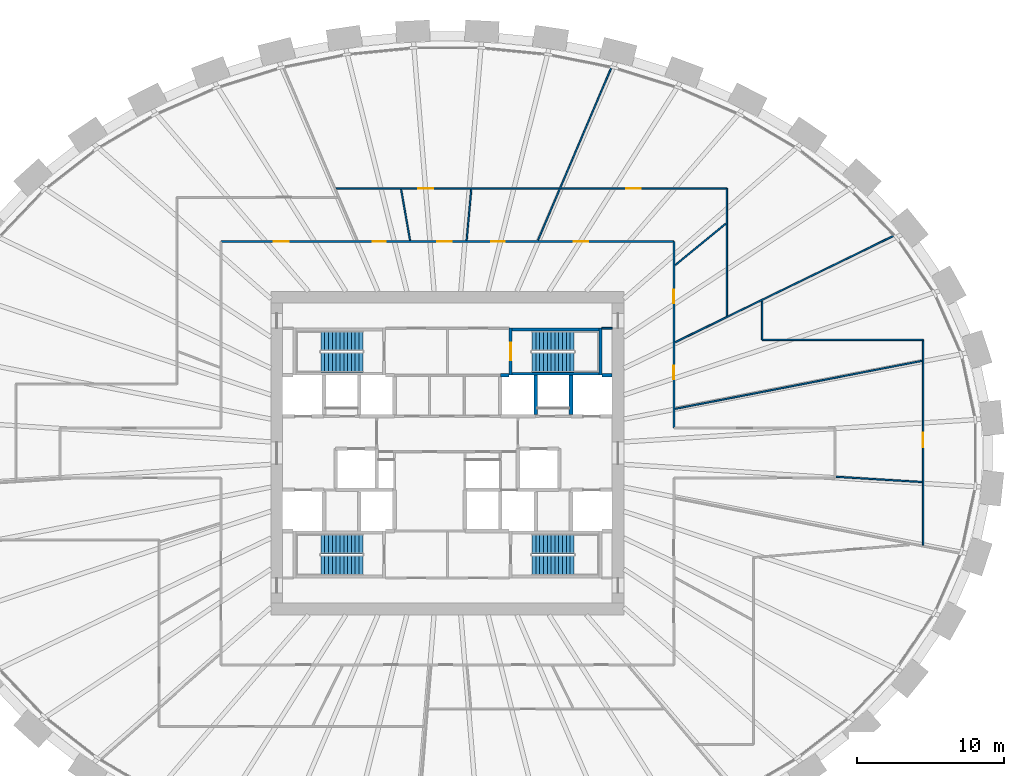
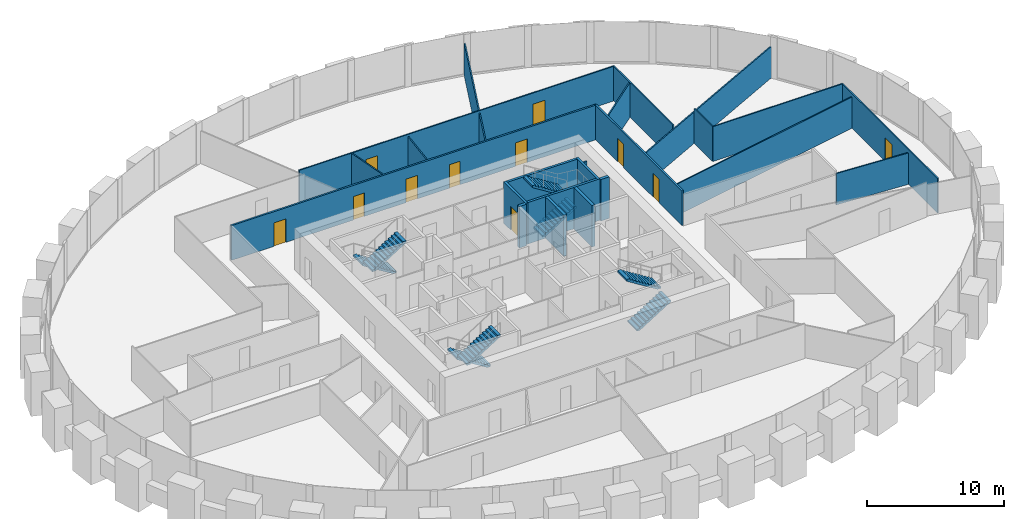
# One storey, part 9 of 10: 23 walls, 11 doors, 8 stair flights, 11 openings, 4 elements without a shape of their own.
"""IFC4 building model written with IfcOpenShell, lengths in metres."""

from ifc_helpers import new_model, si_unit, direction, frame, frame_2d, origin, place, context, subcontext, project, spatial, polyline, rectangle, outline, extrude, source, transform, mapped, material, layer, layer_set, type_object, element, fill, aggregate, save


model = new_model("IFC4")

# Units and contexts
model_context = context("Model", 3, precision=1e-05, world=origin(), true_north=direction((0.0, 1.0)))
body_context = subcontext(model_context, "Body", "Model", "MODEL_VIEW")
ifc_project = project(units=[si_unit("LENGTHUNIT", "METRE"), si_unit("AREAUNIT", "SQUARE_METRE"), si_unit("VOLUMEUNIT", "CUBIC_METRE"), si_unit("PLANEANGLEUNIT", "RADIAN"), si_unit("MASSUNIT", "GRAM", prefix="KILO")], contexts=[model_context])

# Site, building, storey
site_placement = place(None, origin())
site = spatial("IfcSite", under=ifc_project, at=site_placement, CompositionType="ELEMENT")
building_placement = place(site_placement, origin())
building = spatial("IfcBuilding", under=site, at=building_placement, Name="Embergate Tower", CompositionType="ELEMENT")
storey_placement = place(building_placement, frame((0.0, 0.0, 179.39990234375)))
storey = spatial("IfcBuildingStorey", under=building, at=storey_placement, Name="L40", CompositionType="ELEMENT", Elevation=179.39990234375)

# Walls
ifc_material_1 = material(Name="Concrete C50", Category="concrete")
ifc_layer_1 = layer(ifc_material_1, 0.25)
ifc_layer_set_1 = layer_set([ifc_layer_1], Name="Concrete C50")
wall_type_1 = type_object("IfcWallType", Name="Hoistway wall reinforced concrete 250", PredefinedType="SHEAR", material=ifc_layer_set_1)
shared_shape_1 = source(origin(), body_context, "Body", "SweptSolid", [
    extrude(rectangle(XDim=2.675048828125, YDim=0.25, at=frame_2d((1.33740234375, 0.0))), origin(), (0.0, 0.0, 1.0), 3.7001953125),
])
for number, where, z_axis, x_axis, name in (
    (1, (6.0, 2.625, 0.0), (0.0, 0.0, 1.0), (0.0, 1.0, 0.0), "HW-1 wall"),
    (2, (8.39990234375, 2.625, 0.0), (0.0, 0.0, 1.0), (0.0, 1.0, 0.0), "HW-1 wall"),
):
    element("IfcWall", number, at=place(storey_placement, frame(where, z_axis=z_axis, x_axis=x_axis)), inside=storey, type_object=wall_type_1, Name=name, PredefinedType="SHEAR", context=body_context, shape_type="MappedRepresentation", body=[
        mapped(shared_shape_1, transform((0.0, 0.0, 0.0))),
    ])
ifc_layer_2 = layer(ifc_material_1, 0.199951171875)
ifc_layer_set_2 = layer_set([ifc_layer_2], Name="Concrete C50")
wall_type_2 = type_object("IfcWallType", Name="Stair enclosure wall reinforced concrete 250", PredefinedType="SHEAR", material=ifc_layer_set_2)
shared_shape_2 = source(origin(), body_context, "Body", "SweptSolid", [
    extrude(rectangle(XDim=6.300048828125, YDim=0.199951171875, at=frame_2d((3.14990234375, 0.0))), origin(), (0.0, 0.0, 1.0), 3.7001953125),
])
for number, where, z_axis, x_axis, name in (
    (3, (10.5, 5.39990234375, 0.0), (0.0, 0.0, 1.0), (-1.0, 0.0, 0.0), "SE-1 wall"),
    (4, (10.5, 8.39990234375, 0.0), (0.0, 0.0, 1.0), (-1.0, 0.0, 0.0), "SE-1 wall"),
):
    element("IfcWall", number, at=place(storey_placement, frame(where, z_axis=z_axis, x_axis=x_axis)), inside=storey, type_object=wall_type_2, Name=name, PredefinedType="SHEAR", context=body_context, shape_type="MappedRepresentation", body=[
        mapped(shared_shape_2, transform((0.0, 0.0, 0.0))),
    ])

# Wall, opening, door
shared_shape_3 = source(origin(), body_context, "Body", "SweptSolid", [
    extrude(rectangle(XDim=3.199951171875, YDim=0.199951171875, at=frame_2d((1.60009765625, 0.0))), origin(), (0.0, 0.0, 1.0), 3.7001953125),
])
wall_1_placement = place(storey_placement, frame((4.300048828125, 8.5, 0.0), z_axis=(0.0, 0.0, 1.0), x_axis=(0.0, -1.0, 0.0)))
wall_1 = element("IfcWall", 5, at=wall_1_placement, inside=storey, type_object=wall_type_2, Name="SE-1 wall", PredefinedType="SHEAR", context=body_context, shape_type="MappedRepresentation", body=[
    mapped(shared_shape_3, transform((0.0, 0.0, 0.0))),
])
shared_shape_4 = source(origin(), body_context, "Body", "SweptSolid", [
    extrude(rectangle(XDim=1.199951171875, YDim=2.10009765625, at=frame_2d((0.60009765625, 1.050048828125))), frame((0.0, 0.10986328125, 0.0), z_axis=(0.0, -1.0, 0.0), x_axis=(1.0, 0.0, 0.0)), (0.0, 0.0, 1.0), 0.219970703125),
])
opening_1_placement = place(wall_1_placement, frame((1.0, 0.0, 0.0)))
opening_1 = element("IfcOpeningElement", 6, at=opening_1_placement, cuts=wall_1, Name="Opening IF-2", PredefinedType="OPENING", context=body_context, shape_type="MappedRepresentation", body=[
    mapped(shared_shape_4, transform((0.0, 0.0, 0.0))),
])
ifc_material_2 = material(Name="Stair enclosure door 1200")
door_type_1 = type_object("IfcDoorType", Name="Stair enclosure door 1200", OperationType="SINGLE_SWING_LEFT", PredefinedType="DOOR", material=ifc_material_2)
shared_shape_5 = source(origin(), body_context, "Body", "SweptSolid", [
    extrude(rectangle(XDim=1.199951171875, YDim=2.10009765625, at=frame_2d((0.60009765625, 1.050048828125))), frame((0.0, 0.02490234375, 0.0), z_axis=(0.0, -1.0, 0.0), x_axis=(1.0, 0.0, 0.0)), (0.0, 0.0, 1.0), 0.050048828125),
])
door_1_placement = place(opening_1_placement, origin())
door_1 = element("IfcDoor", 7, at=door_1_placement, inside=storey, type_object=door_type_1, Name="IF-2 door", OperationType="SINGLE_SWING_RIGHT", OverallHeight=2.10009765625, OverallWidth=1.199951171875, PredefinedType="DOOR", context=body_context, shape_type="MappedRepresentation", body=[
    mapped(shared_shape_5, transform((0.0, 0.0, 0.0))),
])
fill(opening_1, door_1)

# Walls
ifc_material_3 = material(Name="Core partition blockwork 120")
ifc_layer_3 = layer(ifc_material_3, 0.1201171875)
ifc_layer_set_3 = layer_set([ifc_layer_3], Name="Core partition blockwork 120")
wall_type_3 = type_object("IfcWallType", Name="Core partition blockwork 120", PredefinedType="PARTITIONING", material=ifc_layer_set_3)
shared_shape_6 = source(origin(), body_context, "Body", "SweptSolid", [
    extrude(rectangle(XDim=0.697998046875, YDim=0.1201171875, at=frame_2d((0.34912109375, 0.0))), origin(), (0.0, 0.0, 1.0), 3.10009765625),
])
wall_2_placement = place(storey_placement, frame((10.501953125, 8.5, 0.0), z_axis=(0.0, 0.0, 1.0), x_axis=(1.0, 0.0, 0.0)))
element("IfcWall", 8, at=wall_2_placement, inside=storey, type_object=wall_type_3, Name="IP-3 wall", PredefinedType="PARTITIONING", context=body_context, shape_type="MappedRepresentation", body=[
    mapped(shared_shape_6, transform((0.0, 0.0, 0.0))),
])
shared_shape_7 = source(origin(), body_context, "Body", "SweptSolid", [
    extrude(rectangle(XDim=0.599853515625, YDim=0.25, at=frame_2d((0.2998046875, 0.0))), origin(), (0.0, 0.0, 1.0), 3.7001953125),
])
wall_3_placement = place(storey_placement, frame((4.199951171875, 5.300048828125, 0.0), z_axis=(0.0, 0.0, 1.0), x_axis=(-1.0, 0.0, 0.0)))
element("IfcWall", 9, at=wall_3_placement, inside=storey, type_object=wall_type_1, Name="HW-1 wall", PredefinedType="SHEAR", context=body_context, shape_type="MappedRepresentation", body=[
    mapped(shared_shape_7, transform((0.0, 0.0, 0.0))),
])
shared_shape_8 = source(origin(), body_context, "Body", "SweptSolid", [
    extrude(rectangle(XDim=3.196044921875, YDim=0.199951171875, at=frame_2d((1.59814453125, 0.0))), origin(), (0.0, 0.0, 1.0), 3.7001953125),
])
wall_4_placement = place(storey_placement, frame((10.39990234375, 5.302001953125, 0.0), z_axis=(0.0, 0.0, 1.0), x_axis=(0.0, 1.0, 0.0)))
element("IfcWall", 10, at=wall_4_placement, inside=storey, type_object=wall_type_2, Name="SE-1 wall", PredefinedType="SHEAR", context=body_context, shape_type="MappedRepresentation", body=[
    mapped(shared_shape_8, transform((0.0, 0.0, 0.0))),
])
shared_shape_9 = source(origin(), body_context, "Body", "SweptSolid", [
    extrude(rectangle(XDim=0.697998046875, YDim=0.25, at=frame_2d((0.34912109375, 0.0))), origin(), (0.0, 0.0, 1.0), 3.7001953125),
])
wall_5_placement = place(storey_placement, frame((11.199951171875, 5.300048828125, 0.0), z_axis=(0.0, 0.0, 1.0), x_axis=(-1.0, 0.0, 0.0)))
element("IfcWall", 11, at=wall_5_placement, inside=storey, type_object=wall_type_1, Name="HW-1 wall", PredefinedType="SHEAR", context=body_context, shape_type="MappedRepresentation", body=[
    mapped(shared_shape_9, transform((0.0, 0.0, 0.0))),
])

# Wall, openings, doors
ifc_material_4 = material(Name="Corridor wall dry-lined 150")
ifc_layer_4 = layer(ifc_material_4, 0.14990234375)
ifc_layer_set_4 = layer_set([ifc_layer_4], Name="Corridor wall dry-lined 150")
wall_type_4 = type_object("IfcWallType", Name="Corridor wall dry-lined 150", PredefinedType="PARTITIONING", material=ifc_layer_set_4)
shared_shape_10 = source(origin(), body_context, "Body", "SweptSolid", [
    extrude(rectangle(XDim=12.699951171875, YDim=0.14990234375, at=frame_2d((6.35009765625, 0.0))), origin(), (0.0, 0.0, 1.0), 3.10009765625),
])
wall_6_placement = place(storey_placement, frame((15.39990234375, 14.39990234375, 0.0), z_axis=(0.0, 0.0, 1.0), x_axis=(0.0, -1.0, 0.0)))
wall_6 = element("IfcWall", 12, at=wall_6_placement, inside=storey, type_object=wall_type_4, Name="IP-2 wall", PredefinedType="PARTITIONING", context=body_context, shape_type="MappedRepresentation", body=[
    mapped(shared_shape_10, transform((0.0, 0.0, 0.0))),
])
shared_shape_11 = source(origin(), body_context, "Body", "SweptSolid", [
    extrude(rectangle(XDim=0.89990234375, YDim=2.10009765625, at=frame_2d((0.449951171875, 1.050048828125))), frame((0.0, 0.0849609375, 0.0), z_axis=(0.0, -1.0, 0.0), x_axis=(1.0, 0.0, 0.0)), (0.0, 0.0, 1.0), 0.169921875),
])
opening_2_placement = place(wall_6_placement, frame((8.4619140625, 0.0, 0.0)))
opening_2 = element("IfcOpeningElement", 13, at=opening_2_placement, cuts=wall_6, Name="Opening IF-1c", PredefinedType="OPENING", context=body_context, shape_type="MappedRepresentation", body=[
    mapped(shared_shape_11, transform((0.0, 0.0, 0.0))),
])
opening_3_placement = place(wall_6_placement, frame((3.2939453125, 0.0, 0.0)))
opening_3 = element("IfcOpeningElement", 14, at=opening_3_placement, cuts=wall_6, Name="Opening IF-1c", PredefinedType="OPENING", context=body_context, shape_type="MappedRepresentation", body=[
    mapped(shared_shape_11, transform((0.0, 0.0, 0.0))),
])
ifc_material_5 = material(Name="Escape fire door 900")
door_type_2 = type_object("IfcDoorType", Name="Escape fire door 900", OperationType="SINGLE_SWING_LEFT", PredefinedType="DOOR", material=ifc_material_5)
shared_shape_12 = source(origin(), body_context, "Body", "SweptSolid", [
    extrude(rectangle(XDim=0.89990234375, YDim=2.10009765625, at=frame_2d((0.449951171875, 1.050048828125))), frame((0.0, 0.02490234375, 0.0), z_axis=(0.0, -1.0, 0.0), x_axis=(1.0, 0.0, 0.0)), (0.0, 0.0, 1.0), 0.050048828125),
])
door_2_placement = place(opening_2_placement, origin())
door_2 = element("IfcDoor", 15, at=door_2_placement, inside=storey, type_object=door_type_2, Name="IF-1 door", OperationType="SINGLE_SWING_LEFT", OverallHeight=2.10009765625, OverallWidth=0.89990234375, PredefinedType="DOOR", context=body_context, shape_type="MappedRepresentation", body=[
    mapped(shared_shape_12, transform((0.0, 0.0, 0.0))),
])
fill(opening_2, door_2)
door_3_placement = place(opening_3_placement, origin())
door_3 = element("IfcDoor", 16, at=door_3_placement, inside=storey, type_object=door_type_2, Name="IF-1 door", OperationType="SINGLE_SWING_RIGHT", OverallHeight=2.10009765625, OverallWidth=0.89990234375, PredefinedType="DOOR", context=body_context, shape_type="MappedRepresentation", body=[
    mapped(shared_shape_12, transform((0.0, 0.0, 0.0))),
])
fill(opening_3, door_3)

shared_shape_13 = source(origin(), body_context, "Body", "SweptSolid", [
    extrude(rectangle(XDim=30.7998046875, YDim=0.14990234375, at=frame_2d((15.39990234375, 0.0))), origin(), (0.0, 0.0, 1.0), 3.10009765625),
])
wall_7_placement = place(storey_placement, frame((-15.39990234375, 14.39990234375, 0.0), z_axis=(0.0, 0.0, 1.0), x_axis=(1.0, 0.0, 0.0)))
wall_7 = element("IfcWall", 17, at=wall_7_placement, inside=storey, type_object=wall_type_4, Name="IP-2 wall", PredefinedType="PARTITIONING", context=body_context, shape_type="MappedRepresentation", body=[
    mapped(shared_shape_13, transform((0.0, 0.0, 0.0))),
])
shared_shape_14 = source(origin(), body_context, "Body", "SweptSolid", [
    extrude(rectangle(XDim=1.0, YDim=2.10009765625, at=frame_2d((0.5, 1.050048828125))), frame((0.0, 0.0849609375, 0.0), z_axis=(0.0, -1.0, 0.0), x_axis=(1.0, 0.0, 0.0)), (0.0, 0.0, 1.0), 0.169921875),
])
opening_4_placement = place(wall_7_placement, frame((23.97412109375, 0.0, 0.0)))
opening_4 = element("IfcOpeningElement", 18, at=opening_4_placement, cuts=wall_7, Name="Opening ID-2", PredefinedType="OPENING", context=body_context, shape_type="MappedRepresentation", body=[
    mapped(shared_shape_14, transform((0.0, 0.0, 0.0))),
])
opening_5_placement = place(wall_7_placement, frame((18.39697265625, 0.0, 0.0)))
opening_5 = element("IfcOpeningElement", 19, at=opening_5_placement, cuts=wall_7, Name="Opening IF-1c", PredefinedType="OPENING", context=body_context, shape_type="MappedRepresentation", body=[
    mapped(shared_shape_11, transform((0.0, 0.0, 0.0))),
])
opening_6_placement = place(wall_7_placement, frame((14.708984375, 0.0, 0.0)))
opening_6 = element("IfcOpeningElement", 20, at=opening_6_placement, cuts=wall_7, Name="Opening ID-2", PredefinedType="OPENING", context=body_context, shape_type="MappedRepresentation", body=[
    mapped(shared_shape_14, transform((0.0, 0.0, 0.0))),
])
opening_7_placement = place(wall_7_placement, frame((10.30908203125, 0.0, 0.0)))
opening_7 = element("IfcOpeningElement", 21, at=opening_7_placement, cuts=wall_7, Name="Opening IF-1c", PredefinedType="OPENING", context=body_context, shape_type="MappedRepresentation", body=[
    mapped(shared_shape_11, transform((0.0, 0.0, 0.0))),
])
opening_8_placement = place(wall_7_placement, frame((3.60009765625, 0.0, 0.0)))
opening_8 = element("IfcOpeningElement", 22, at=opening_8_placement, cuts=wall_7, Name="Opening ID-2", PredefinedType="OPENING", context=body_context, shape_type="MappedRepresentation", body=[
    mapped(shared_shape_14, transform((0.0, 0.0, 0.0))),
])
door_4_placement = place(opening_5_placement, origin())
door_4 = element("IfcDoor", 23, at=door_4_placement, inside=storey, type_object=door_type_2, Name="IF-1 door", OperationType="SINGLE_SWING_RIGHT", OverallHeight=2.10009765625, OverallWidth=0.89990234375, PredefinedType="DOOR", context=body_context, shape_type="MappedRepresentation", body=[
    mapped(shared_shape_12, transform((0.0, 0.0, 0.0))),
])
fill(opening_5, door_4)
door_5_placement = place(opening_7_placement, origin())
door_5 = element("IfcDoor", 24, at=door_5_placement, inside=storey, type_object=door_type_2, Name="IF-1 door", OperationType="SINGLE_SWING_LEFT", OverallHeight=2.10009765625, OverallWidth=0.89990234375, PredefinedType="DOOR", context=body_context, shape_type="MappedRepresentation", body=[
    mapped(shared_shape_12, transform((0.0, 0.0, 0.0))),
])
fill(opening_7, door_5)
ifc_material_6 = material(Name="Interior door 1000")
door_type_3 = type_object("IfcDoorType", Name="Interior door 1000", OperationType="SINGLE_SWING_LEFT", PredefinedType="DOOR", material=ifc_material_6)
shared_shape_15 = source(origin(), body_context, "Body", "SweptSolid", [
    extrude(rectangle(XDim=1.0, YDim=2.10009765625, at=frame_2d((0.5, 1.050048828125))), frame((0.0, 0.02490234375, 0.0), z_axis=(0.0, -1.0, 0.0), x_axis=(1.0, 0.0, 0.0)), (0.0, 0.0, 1.0), 0.050048828125),
])
door_6_placement = place(opening_4_placement, origin())
door_6 = element("IfcDoor", 25, at=door_6_placement, inside=storey, type_object=door_type_3, Name="ID-2 door", OperationType="SINGLE_SWING_RIGHT", OverallHeight=2.10009765625, OverallWidth=1.0, PredefinedType="DOOR", context=body_context, shape_type="MappedRepresentation", body=[
    mapped(shared_shape_15, transform((0.0, 0.0, 0.0))),
])
fill(opening_4, door_6)
door_7_placement = place(opening_6_placement, origin())
door_7 = element("IfcDoor", 26, at=door_7_placement, inside=storey, type_object=door_type_3, Name="ID-2 door", OperationType="SINGLE_SWING_LEFT", OverallHeight=2.10009765625, OverallWidth=1.0, PredefinedType="DOOR", context=body_context, shape_type="MappedRepresentation", body=[
    mapped(shared_shape_15, transform((0.0, 0.0, 0.0))),
])
fill(opening_6, door_7)
door_8_placement = place(opening_8_placement, origin())
door_8 = element("IfcDoor", 27, at=door_8_placement, inside=storey, type_object=door_type_3, Name="ID-2 door", OperationType="SINGLE_SWING_RIGHT", OverallHeight=2.10009765625, OverallWidth=1.0, PredefinedType="DOOR", context=body_context, shape_type="MappedRepresentation", body=[
    mapped(shared_shape_15, transform((0.0, 0.0, 0.0))),
])
fill(opening_8, door_8)

# Wall
ifc_material_7 = material(Name="Partition dry-lined 100")
ifc_layer_5 = layer(ifc_material_7, 0.10009765625)
ifc_layer_set_5 = layer_set([ifc_layer_5], Name="Partition dry-lined 100")
wall_type_5 = type_object("IfcWallType", Name="Partition dry-lined 100", PredefinedType="PARTITIONING", material=ifc_layer_set_5)
shared_shape_16 = source(origin(), body_context, "Body", "SweptSolid", [
    extrude(rectangle(XDim=5.885986328125, YDim=0.10009765625, at=frame_2d((2.94287109375, 0.0))), origin(), (0.0, 0.0, 1.0), 2.800048828125),
])
wall_8_placement = place(storey_placement, frame((32.300048828125, -1.966064453125, 0.0), z_axis=(0.0, 0.0, 1.0), x_axis=(-0.998146954273, 0.060849467334, 0.0)))
element("IfcWall", 28, at=wall_8_placement, inside=storey, type_object=wall_type_5, Name="IP-1 wall", PredefinedType="PARTITIONING", context=body_context, shape_type="MappedRepresentation", body=[
    mapped(shared_shape_16, transform((0.0, 0.0, 0.0))),
])

# Wall, opening, door
shared_shape_17 = source(origin(), body_context, "Body", "SweptSolid", [
    extrude(rectangle(XDim=13.9619140625, YDim=0.10009765625, at=frame_2d((6.98095703125, 0.0))), origin(), (0.0, 0.0, 1.0), 3.10009765625),
])
wall_9_placement = place(storey_placement, frame((32.35009765625, 7.699951171875, 0.0), z_axis=(0.0, 0.0, 1.0), x_axis=(0.0, -1.0, 0.0)))
wall_9 = element("IfcWall", 29, at=wall_9_placement, inside=storey, type_object=wall_type_5, Name="IP-1 wall", PredefinedType="PARTITIONING", context=body_context, shape_type="MappedRepresentation", body=[
    mapped(shared_shape_17, transform((0.0, 0.0, 0.0))),
])
shared_shape_18 = source(origin(), body_context, "Body", "SweptSolid", [
    extrude(rectangle(XDim=1.0, YDim=2.10009765625, at=frame_2d((0.5, 1.050048828125))), frame((0.0, 0.06005859375, 0.0), z_axis=(0.0, -1.0, 0.0), x_axis=(1.0, 0.0, 0.0)), (0.0, 0.0, 1.0), 0.1201171875),
])
opening_9_placement = place(wall_9_placement, frame((6.303955078125, 0.0, 0.0)))
opening_9 = element("IfcOpeningElement", 30, at=opening_9_placement, cuts=wall_9, Name="Opening ID-2", PredefinedType="OPENING", context=body_context, shape_type="MappedRepresentation", body=[
    mapped(shared_shape_18, transform((0.0, 0.0, 0.0))),
])
door_9_placement = place(opening_9_placement, origin())
door_9 = element("IfcDoor", 31, at=door_9_placement, inside=storey, type_object=door_type_3, Name="ID-2 door", OperationType="SINGLE_SWING_LEFT", OverallHeight=2.10009765625, OverallWidth=1.0, PredefinedType="DOOR", context=body_context, shape_type="MappedRepresentation", body=[
    mapped(shared_shape_15, transform((0.0, 0.0, 0.0))),
])
fill(opening_9, door_9)

# Walls
shared_shape_19 = source(origin(), body_context, "Body", "SweptSolid", [
    extrude(rectangle(XDim=17.12060546875, YDim=0.10009765625, at=frame_2d((8.560302734375, 0.0))), origin(), (0.0, 0.0, 1.0), 2.800048828125),
])
wall_10_placement = place(storey_placement, frame((15.485107421875, 3.010986328125, 0.0), z_axis=(0.0, 0.0, 1.0), x_axis=(0.981612643598, 0.190883781211, 0.0)))
element("IfcWall", 32, at=wall_10_placement, inside=storey, type_object=wall_type_5, Name="IP-1 wall", PredefinedType="PARTITIONING", context=body_context, shape_type="MappedRepresentation", body=[
    mapped(shared_shape_19, transform((0.0, 0.0, 0.0))),
])
shared_shape_20 = source(origin(), body_context, "Body", "SweptSolid", [
    extrude(rectangle(XDim=2.64208984375, YDim=0.10009765625, at=frame_2d((1.321044921875, 0.0))), origin(), (0.0, 0.0, 1.0), 3.10009765625),
])
wall_11_placement = place(storey_placement, frame((21.39990234375, 10.342041015625, 0.0), z_axis=(0.0, 0.0, 1.0), x_axis=(0.0, -1.0, 0.0)))
element("IfcWall", 33, at=wall_11_placement, inside=storey, type_object=wall_type_5, Name="IP-1 wall", PredefinedType="PARTITIONING", context=body_context, shape_type="MappedRepresentation", body=[
    mapped(shared_shape_20, transform((0.0, 0.0, 0.0))),
])
shared_shape_21 = source(origin(), body_context, "Body", "SweptSolid", [
    extrude(rectangle(XDim=10.9501953125, YDim=0.10009765625, at=frame_2d((5.47509765625, 0.0))), origin(), (0.0, 0.0, 1.0), 3.10009765625),
])
wall_12_placement = place(storey_placement, frame((21.39990234375, 7.699951171875, 0.0), z_axis=(0.0, 0.0, 1.0), x_axis=(1.0, 0.0, 0.0)))
element("IfcWall", 34, at=wall_12_placement, inside=storey, type_object=wall_type_5, Name="IP-1 wall", PredefinedType="PARTITIONING", context=body_context, shape_type="MappedRepresentation", body=[
    mapped(shared_shape_21, transform((0.0, 0.0, 0.0))),
])
shared_shape_22 = source(origin(), body_context, "Body", "SweptSolid", [
    extrude(rectangle(XDim=16.563720703125, YDim=0.10009765625, at=frame_2d((8.28173828125, 0.0))), origin(), (0.0, 0.0, 1.0), 2.800048828125),
])
wall_13_placement = place(storey_placement, frame((15.4970703125, 7.547119140625, 0.0), z_axis=(0.0, 0.0, 1.0), x_axis=(0.899062324196, 0.437820667867, 0.0)))
element("IfcWall", 35, at=wall_13_placement, inside=storey, type_object=wall_type_5, Name="IP-1 wall", PredefinedType="PARTITIONING", context=body_context, shape_type="MappedRepresentation", body=[
    mapped(shared_shape_22, transform((0.0, 0.0, 0.0))),
])
shared_shape_23 = source(origin(), body_context, "Body", "SweptSolid", [
    extrude(rectangle(XDim=4.421875, YDim=0.10009765625, at=frame_2d((2.2109375, 0.0))), origin(), (0.0, 0.0, 1.0), 3.10009765625),
])
wall_14_placement = place(storey_placement, frame((15.507080078125, 12.7890625, 0.0), z_axis=(0.0, 0.0, 1.0), x_axis=(0.77137531128, 0.63638049086, 0.0)))
element("IfcWall", 36, at=wall_14_placement, inside=storey, type_object=wall_type_5, Name="IP-1 wall", PredefinedType="PARTITIONING", context=body_context, shape_type="MappedRepresentation", body=[
    mapped(shared_shape_23, transform((0.0, 0.0, 0.0))),
])
shared_shape_24 = source(origin(), body_context, "Body", "SweptSolid", [
    extrude(rectangle(XDim=8.6669921875, YDim=0.10009765625, at=frame_2d((4.33349609375, 0.0))), origin(), (0.0, 0.0, 1.0), 3.10009765625),
])
wall_15_placement = place(storey_placement, frame((19.0, 18.0, 0.0), z_axis=(0.0, 0.0, 1.0), x_axis=(0.0, -1.0, 0.0)))
element("IfcWall", 37, at=wall_15_placement, inside=storey, type_object=wall_type_5, Name="IP-1 wall", PredefinedType="PARTITIONING", context=body_context, shape_type="MappedRepresentation", body=[
    mapped(shared_shape_24, transform((0.0, 0.0, 0.0))),
])

# Wall, openings, doors
shared_shape_25 = source(origin(), body_context, "Body", "SweptSolid", [
    extrude(rectangle(XDim=26.580078125, YDim=0.10009765625, at=frame_2d((13.2900390625, 0.0))), origin(), (0.0, 0.0, 1.0), 3.10009765625),
])
wall_16_placement = place(storey_placement, frame((-7.580078125, 18.0, 0.0), z_axis=(0.0, 0.0, 1.0), x_axis=(1.0, 0.0, 0.0)))
wall_16 = element("IfcWall", 38, at=wall_16_placement, inside=storey, type_object=wall_type_5, Name="IP-1 wall", PredefinedType="PARTITIONING", context=body_context, shape_type="MappedRepresentation", body=[
    mapped(shared_shape_25, transform((0.0, 0.0, 0.0))),
])
opening_10_placement = place(wall_16_placement, frame((19.72607421875, 0.0, 0.0)))
opening_10 = element("IfcOpeningElement", 39, at=opening_10_placement, cuts=wall_16, Name="Opening ID-2", PredefinedType="OPENING", context=body_context, shape_type="MappedRepresentation", body=[
    mapped(shared_shape_18, transform((0.0, 0.0, 0.0))),
])
opening_11_placement = place(wall_16_placement, frame((5.611083984375, 0.0, 0.0)))
opening_11 = element("IfcOpeningElement", 40, at=opening_11_placement, cuts=wall_16, Name="Opening ID-2", PredefinedType="OPENING", context=body_context, shape_type="MappedRepresentation", body=[
    mapped(shared_shape_18, transform((0.0, 0.0, 0.0))),
])
door_10_placement = place(opening_10_placement, origin())
door_10 = element("IfcDoor", 41, at=door_10_placement, inside=storey, type_object=door_type_3, Name="ID-2 door", OperationType="SINGLE_SWING_RIGHT", OverallHeight=2.10009765625, OverallWidth=1.0, PredefinedType="DOOR", context=body_context, shape_type="MappedRepresentation", body=[
    mapped(shared_shape_15, transform((0.0, 0.0, 0.0))),
])
fill(opening_10, door_10)
door_11_placement = place(opening_11_placement, origin())
door_11 = element("IfcDoor", 42, at=door_11_placement, inside=storey, type_object=door_type_3, Name="ID-2 door", OperationType="SINGLE_SWING_RIGHT", OverallHeight=2.10009765625, OverallWidth=1.0, PredefinedType="DOOR", context=body_context, shape_type="MappedRepresentation", body=[
    mapped(shared_shape_15, transform((0.0, 0.0, 0.0))),
])
fill(opening_11, door_11)

# Walls
shared_shape_26 = source(origin(), body_context, "Body", "SweptSolid", [
    extrude(rectangle(XDim=3.510009765625, YDim=0.10009765625, at=frame_2d((1.7548828125, 0.0))), origin(), (0.0, 0.0, 1.0), 3.10009765625),
])
wall_17_placement = place(storey_placement, frame((-2.54296875, 14.48388671875, 0.0), z_axis=(0.0, 0.0, 1.0), x_axis=(-0.173190123046, 0.984888410572, 0.0)))
element("IfcWall", 43, at=wall_17_placement, inside=storey, type_object=wall_type_5, Name="IP-1 wall", PredefinedType="PARTITIONING", context=body_context, shape_type="MappedRepresentation", body=[
    mapped(shared_shape_26, transform((0.0, 0.0, 0.0))),
])
shared_shape_27 = source(origin(), body_context, "Body", "SweptSolid", [
    extrude(rectangle(XDim=12.767333984375, YDim=0.10009765625, at=frame_2d((6.3837890625, 0.0))), origin(), (0.0, 0.0, 1.0), 2.900146484375),
])
wall_18_placement = place(storey_placement, frame((6.1650390625, 14.4951171875, 0.0), z_axis=(0.0, 0.0, 1.0), x_axis=(0.391395319475, 0.92022263822, 0.0)))
element("IfcWall", 44, at=wall_18_placement, inside=storey, type_object=wall_type_5, Name="IP-1 wall", PredefinedType="PARTITIONING", context=body_context, shape_type="MappedRepresentation", body=[
    mapped(shared_shape_27, transform((0.0, 0.0, 0.0))),
])
shared_shape_28 = source(origin(), body_context, "Body", "SweptSolid", [
    extrude(rectangle(XDim=3.489013671875, YDim=0.10009765625, at=frame_2d((1.74462890625, 0.0))), origin(), (0.0, 0.0, 1.0), 2.900146484375),
])
wall_19_placement = place(storey_placement, frame((1.306884765625, 14.47509765625, 0.0), z_axis=(0.0, 0.0, 1.0), x_axis=(0.090056243152, 0.995936681255, 0.0)))
element("IfcWall", 45, at=wall_19_placement, inside=storey, type_object=wall_type_5, Name="IP-1 wall", PredefinedType="PARTITIONING", context=body_context, shape_type="MappedRepresentation", body=[
    mapped(shared_shape_28, transform((0.0, 0.0, 0.0))),
])

# Stair, stair flights
ifc_material_8 = material(Name="Exit stair")
stair_type = type_object("IfcStairType", Name="Exit stair", PredefinedType="HALF_TURN_STAIR", material=ifc_material_8)
stair_1_placement = place(storey_placement, origin())
stair_1 = element("IfcStair", 46, at=stair_1_placement, inside=storey, type_object=stair_type, Name="L40 Exit stair 1", PredefinedType="HALF_TURN_STAIR")
ifc_material_9 = material(Name="Concrete C40", Category="concrete")
stair_flight_type = type_object("IfcStairFlightType", Name="Stair flight reinforced concrete", PredefinedType="STRAIGHT", material=ifc_material_9)
shared_shape_29 = source(origin(), body_context, "Body", "SweptSolid", [
    extrude(outline(polyline([(0.0, 0.0), (0.0, 0.16259765625), (0.260009765625, 0.16259765625), (0.260009765625, 0.324951171875), (0.52001953125, 0.324951171875), (0.52001953125, 0.487548828125), (0.780029296875, 0.487548828125), (0.780029296875, 0.64990234375), (1.0400390625, 0.64990234375), (1.0400390625, 0.8125), (1.300048828125, 0.8125), (1.300048828125, 0.97509765625), (1.56005859375, 0.97509765625), (1.56005859375, 1.137451171875), (1.820068359375, 1.137451171875), (1.820068359375, 1.300048828125), (2.080078125, 1.300048828125), (2.080078125, 1.46240234375), (2.340087890625, 1.46240234375), (2.340087890625, 1.625), (2.60009765625, 1.625), (2.60009765625, 1.78759765625), (2.860107421875, 1.78759765625), (2.860107421875, 1.949951171875), (2.860107421875, 1.61083984375), (0.28271484375, 0.0), (0.0, 0.0)])), frame((0.0, 0.675048828125, 0.0), z_axis=(0.0, -1.0, 0.0), x_axis=(1.0, 0.0, 0.0)), (0.0, 0.0, 1.0), 1.35009765625),
])
stair_flight_1_placement = place(storey_placement, frame((-5.75, 7.625, 0.0), z_axis=(0.0, 0.0, 1.0), x_axis=(-1.0, 0.0, 0.0)))
stair_flight_1 = element("IfcStairFlight", 47, at=stair_flight_1_placement, type_object=stair_flight_type, Name="ST1 flight 1", NumberOfRisers=12, NumberOfTreads=11, PredefinedType="STRAIGHT", RiserHeight=0.1625, TreadLength=0.26, context=body_context, shape_type="MappedRepresentation", body=[
    mapped(shared_shape_29, transform((0.0, 0.0, 0.0))),
])
stair_flight_2_placement = place(storey_placement, frame((-8.610107421875, 6.175048828125, 1.9501953125), z_axis=(0.0, 0.0, 1.0), x_axis=(1.0, 0.0, 0.0)))
stair_flight_2 = element("IfcStairFlight", 48, at=stair_flight_2_placement, type_object=stair_flight_type, Name="ST1 flight 2", NumberOfRisers=12, NumberOfTreads=11, PredefinedType="STRAIGHT", RiserHeight=0.1625, TreadLength=0.26, context=body_context, shape_type="MappedRepresentation", body=[
    mapped(shared_shape_29, transform((0.0, 0.0, 0.0))),
])
aggregate(stair_1, [stair_flight_1, stair_flight_2])

stair_2_placement = place(storey_placement, origin())
stair_2 = element("IfcStair", 49, at=stair_2_placement, inside=storey, type_object=stair_type, Name="L40 Exit stair 2", PredefinedType="HALF_TURN_STAIR")
stair_flight_3_placement = place(storey_placement, frame((5.75, 6.175048828125, 0.0), z_axis=(0.0, 0.0, 1.0), x_axis=(1.0, 0.0, 0.0)))
stair_flight_3 = element("IfcStairFlight", 50, at=stair_flight_3_placement, type_object=stair_flight_type, Name="ST2 flight 1", NumberOfRisers=12, NumberOfTreads=11, PredefinedType="STRAIGHT", RiserHeight=0.1625, TreadLength=0.26, context=body_context, shape_type="MappedRepresentation", body=[
    mapped(shared_shape_29, transform((0.0, 0.0, 0.0))),
])
stair_flight_4_placement = place(storey_placement, frame((8.610107421875, 7.625, 1.9501953125), z_axis=(0.0, 0.0, 1.0), x_axis=(-1.0, 0.0, 0.0)))
stair_flight_4 = element("IfcStairFlight", 51, at=stair_flight_4_placement, type_object=stair_flight_type, Name="ST2 flight 2", NumberOfRisers=12, NumberOfTreads=11, PredefinedType="STRAIGHT", RiserHeight=0.1625, TreadLength=0.26, context=body_context, shape_type="MappedRepresentation", body=[
    mapped(shared_shape_29, transform((0.0, 0.0, 0.0))),
])
aggregate(stair_2, [stair_flight_3, stair_flight_4])

stair_3_placement = place(storey_placement, origin())
stair_3 = element("IfcStair", 52, at=stair_3_placement, inside=storey, type_object=stair_type, Name="L40 Exit stair 3", PredefinedType="HALF_TURN_STAIR")
stair_flight_5_placement = place(storey_placement, frame((-5.75, -6.175048828125, 0.0), z_axis=(0.0, 0.0, 1.0), x_axis=(-1.0, 0.0, 0.0)))
stair_flight_5 = element("IfcStairFlight", 53, at=stair_flight_5_placement, type_object=stair_flight_type, Name="ST3 flight 1", NumberOfRisers=12, NumberOfTreads=11, PredefinedType="STRAIGHT", RiserHeight=0.1625, TreadLength=0.26, context=body_context, shape_type="MappedRepresentation", body=[
    mapped(shared_shape_29, transform((0.0, 0.0, 0.0))),
])
stair_flight_6_placement = place(storey_placement, frame((-8.610107421875, -7.625, 1.9501953125), z_axis=(0.0, 0.0, 1.0), x_axis=(1.0, 0.0, 0.0)))
stair_flight_6 = element("IfcStairFlight", 54, at=stair_flight_6_placement, type_object=stair_flight_type, Name="ST3 flight 2", NumberOfRisers=12, NumberOfTreads=11, PredefinedType="STRAIGHT", RiserHeight=0.1625, TreadLength=0.26, context=body_context, shape_type="MappedRepresentation", body=[
    mapped(shared_shape_29, transform((0.0, 0.0, 0.0))),
])
aggregate(stair_3, [stair_flight_5, stair_flight_6])

stair_4_placement = place(storey_placement, origin())
stair_4 = element("IfcStair", 55, at=stair_4_placement, inside=storey, type_object=stair_type, Name="L40 Exit stair 4", PredefinedType="HALF_TURN_STAIR")
stair_flight_7_placement = place(storey_placement, frame((5.75, -7.625, 0.0), z_axis=(0.0, 0.0, 1.0), x_axis=(1.0, 0.0, 0.0)))
stair_flight_7 = element("IfcStairFlight", 56, at=stair_flight_7_placement, type_object=stair_flight_type, Name="ST4 flight 1", NumberOfRisers=12, NumberOfTreads=11, PredefinedType="STRAIGHT", RiserHeight=0.1625, TreadLength=0.26, context=body_context, shape_type="MappedRepresentation", body=[
    mapped(shared_shape_29, transform((0.0, 0.0, 0.0))),
])
stair_flight_8_placement = place(storey_placement, frame((8.610107421875, -6.175048828125, 1.9501953125), z_axis=(0.0, 0.0, 1.0), x_axis=(-1.0, 0.0, 0.0)))
stair_flight_8 = element("IfcStairFlight", 57, at=stair_flight_8_placement, type_object=stair_flight_type, Name="ST4 flight 2", NumberOfRisers=12, NumberOfTreads=11, PredefinedType="STRAIGHT", RiserHeight=0.1625, TreadLength=0.26, context=body_context, shape_type="MappedRepresentation", body=[
    mapped(shared_shape_29, transform((0.0, 0.0, 0.0))),
])
aggregate(stair_4, [stair_flight_7, stair_flight_8])

save(model, "model.ifc")
